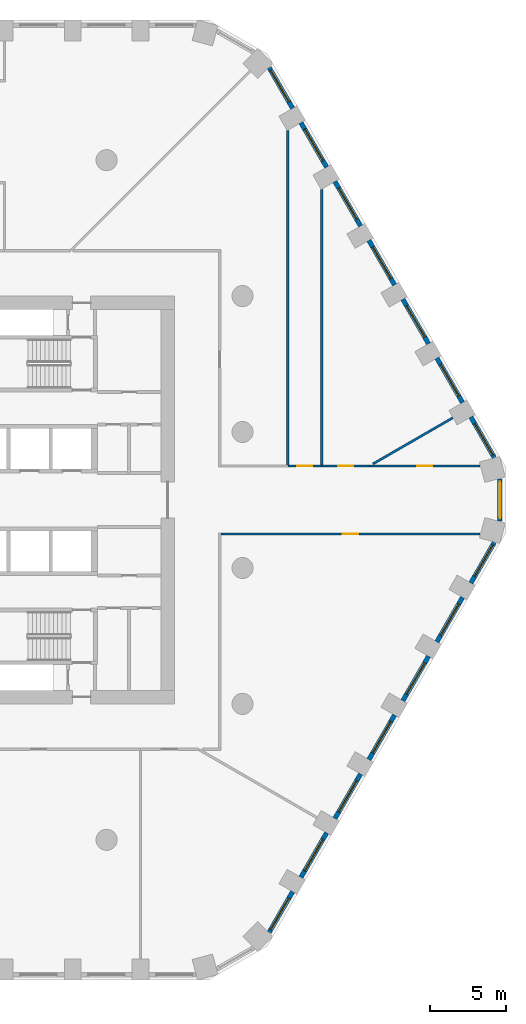
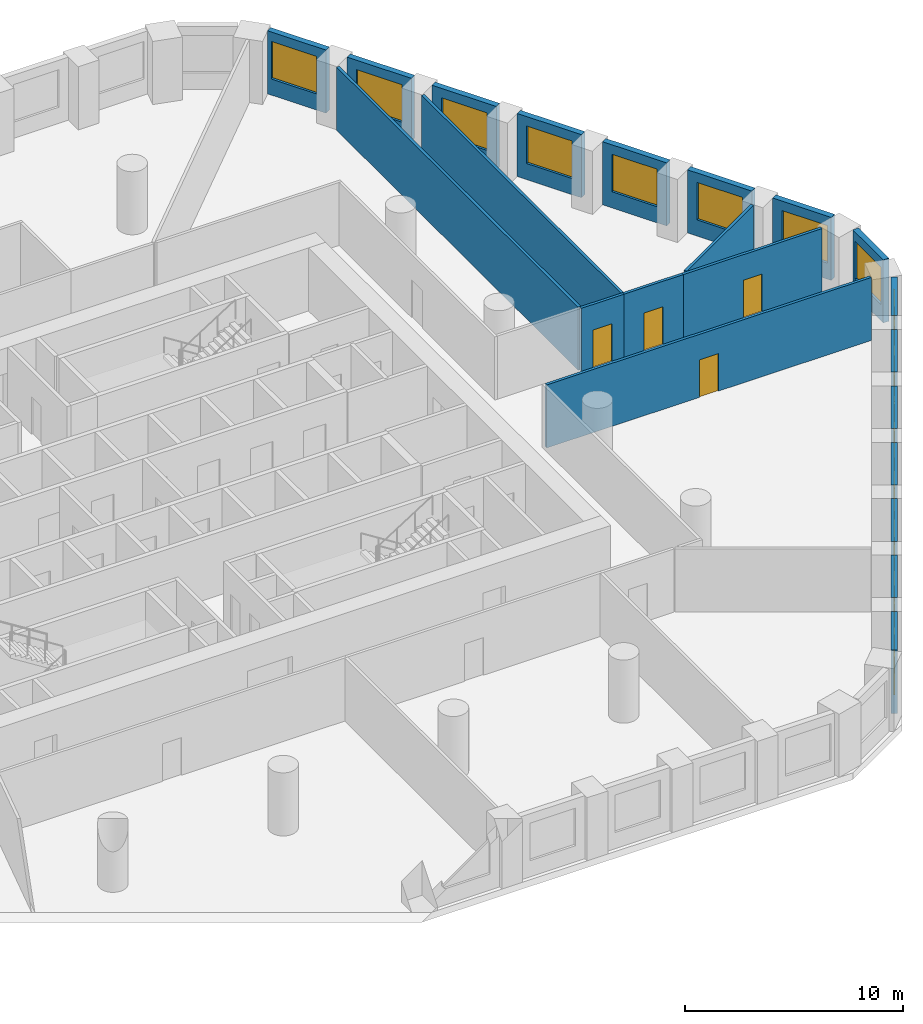
# One storey, part 8 of 10: 22 walls, 15 windows, 4 doors, 19 openings.
"""IFC4 building model written with IfcOpenShell, lengths in metres."""

from ifc_helpers import new_model, si_unit, direction, frame, frame_2d, origin, place, context, subcontext, project, spatial, rectangle, extrude, material, layer, layer_set, type_object, element, fill, save


model = new_model("IFC4")

# Units and contexts
model_context = context("Model", 3, precision=1e-05, world=origin(), true_north=direction((0.0, 1.0)))
body_context = subcontext(model_context, "Body", "Model", "MODEL_VIEW")
ifc_project = project(units=[si_unit("LENGTHUNIT", "METRE"), si_unit("AREAUNIT", "SQUARE_METRE"), si_unit("VOLUMEUNIT", "CUBIC_METRE"), si_unit("PLANEANGLEUNIT", "RADIAN"), si_unit("MASSUNIT", "GRAM", prefix="KILO")], contexts=[model_context])

# Site, building, storey
site_placement = place(None, origin())
site = spatial("IfcSite", under=ifc_project, at=site_placement, CompositionType="ELEMENT")
building_placement = place(site_placement, origin())
building = spatial("IfcBuilding", under=site, at=building_placement, Name="Dhurran Vertical Campus", CompositionType="ELEMENT")
storey_placement = place(building_placement, frame((0.0, 0.0, 57.300048828125)))
storey = spatial("IfcBuildingStorey", under=building, at=storey_placement, Name="L13", CompositionType="ELEMENT", Elevation=57.300048828125)

# Wall, opening, window
ifc_material_1 = material(Name="Precast concrete C50/60", Category="concrete")
ifc_layer_1 = layer(ifc_material_1, 0.300048828125)
ifc_layer_set_1 = layer_set([ifc_layer_1], Name="Precast concrete C50/60")
wall_type_1 = type_object("IfcWallType", Name="Precast spandrel wall 300", PredefinedType="SOLIDWALL", material=ifc_layer_set_1)
wall_1_placement = place(storey_placement, frame((24.2734375, -28.611083984375, 0.0), z_axis=(0.0, 0.0, 1.0), x_axis=(0.499995950774, 0.866027741594, 0.0)))
wall_1 = element("IfcWall", 1, at=wall_1_placement, inside=storey, type_object=wall_type_1, Name="EW1 L13.10", PredefinedType="SOLIDWALL", context=body_context, shape_type="SweptSolid", body=[
    extrude(rectangle(XDim=3.0908203125, YDim=0.300048828125, at=frame_2d((1.54541015625, 0.0))), origin(), (0.0, 0.0, 1.0), 3.52490234375),
])
opening_1_placement = place(wall_1_placement, frame((0.191162109375, 0.0, 0.89990234375)))
opening_1 = element("IfcOpeningElement", 2, at=opening_1_placement, cuts=wall_1, Name="Opening WT1", PredefinedType="OPENING", context=body_context, shape_type="SweptSolid", body=[
    extrude(rectangle(XDim=2.39990234375, YDim=2.10009765625, at=frame_2d((1.199951171875, 1.050048828125))), frame((0.0, 0.159912109375, 0.0), z_axis=(0.0, -1.0, 0.0), x_axis=(1.0, 0.0, 0.0)), (0.0, 0.0, 1.0), 0.320068359375),
])
ifc_material_2 = material(Name="Aluminium frame with solar-control glass", Category="aluminium")
window_type = type_object("IfcWindowType", Name="Punched window 2400 x 2100", PartitioningType="SINGLE_PANEL", PredefinedType="WINDOW", material=ifc_material_2)
window_1_placement = place(opening_1_placement, origin())
window_1 = element("IfcWindow", 3, at=window_1_placement, inside=storey, type_object=window_type, Name="WT1 L13.10", OverallHeight=2.10009765625, OverallWidth=2.39990234375, PartitioningType="SINGLE_PANEL", PredefinedType="WINDOW", context=body_context, shape_type="SweptSolid", body=[
    extrude(rectangle(XDim=2.39990234375, YDim=2.10009765625, at=frame_2d((1.199951171875, 1.050048828125))), frame((0.0, 0.030029296875, 0.0), z_axis=(0.0, -1.0, 0.0), x_axis=(1.0, 0.0, 0.0)), (0.0, 0.0, 1.0), 0.06005859375),
])
fill(opening_1, window_1)

wall_2_placement = place(storey_placement, frame((26.369384765625, -24.98095703125, 0.0), z_axis=(0.0, 0.0, 1.0), x_axis=(0.499993955907, 0.866028893315, 0.0)))
wall_2 = element("IfcWall", 4, at=wall_2_placement, inside=storey, type_object=wall_type_1, Name="EW1 L13.11", PredefinedType="SOLIDWALL", context=body_context, shape_type="SweptSolid", body=[
    extrude(rectangle(XDim=3.39892578125, YDim=0.300048828125, at=frame_2d((1.699462890625, 0.0))), origin(), (0.0, 0.0, 1.0), 3.52490234375),
])
opening_2_placement = place(wall_2_placement, frame((0.49951171875, 0.0, 0.89990234375)))
opening_2 = element("IfcOpeningElement", 5, at=opening_2_placement, cuts=wall_2, Name="Opening WT1", PredefinedType="OPENING", context=body_context, shape_type="SweptSolid", body=[
    extrude(rectangle(XDim=2.39990234375, YDim=2.10009765625, at=frame_2d((1.199951171875, 1.050048828125))), frame((0.0, 0.159912109375, 0.0), z_axis=(0.0, -1.0, 0.0), x_axis=(1.0, 0.0, 0.0)), (0.0, 0.0, 1.0), 0.320068359375),
])
window_2_placement = place(opening_2_placement, origin())
window_2 = element("IfcWindow", 6, at=window_2_placement, inside=storey, type_object=window_type, Name="WT1 L13.11", OverallHeight=2.10009765625, OverallWidth=2.39990234375, PartitioningType="SINGLE_PANEL", PredefinedType="WINDOW", context=body_context, shape_type="SweptSolid", body=[
    extrude(rectangle(XDim=2.39990234375, YDim=2.10009765625, at=frame_2d((1.199951171875, 1.050048828125))), frame((0.0, 0.030029296875, 0.0), z_axis=(0.0, -1.0, 0.0), x_axis=(1.0, 0.0, 0.0)), (0.0, 0.0, 1.0), 0.06005859375),
])
fill(opening_2, window_2)

wall_3_placement = place(storey_placement, frame((28.619384765625, -21.083740234375, 0.0), z_axis=(0.0, 0.0, 1.0), x_axis=(0.499993955907, 0.866028893315, 0.0)))
wall_3 = element("IfcWall", 7, at=wall_3_placement, inside=storey, type_object=wall_type_1, Name="EW1 L13.12", PredefinedType="SOLIDWALL", context=body_context, shape_type="SweptSolid", body=[
    extrude(rectangle(XDim=3.39892578125, YDim=0.300048828125, at=frame_2d((1.699462890625, 0.0))), origin(), (0.0, 0.0, 1.0), 3.52490234375),
])
opening_3_placement = place(wall_3_placement, frame((0.49951171875, 0.0, 0.89990234375)))
opening_3 = element("IfcOpeningElement", 8, at=opening_3_placement, cuts=wall_3, Name="Opening WT1", PredefinedType="OPENING", context=body_context, shape_type="SweptSolid", body=[
    extrude(rectangle(XDim=2.39990234375, YDim=2.10009765625, at=frame_2d((1.199951171875, 1.050048828125))), frame((0.0, 0.159912109375, 0.0), z_axis=(0.0, -1.0, 0.0), x_axis=(1.0, 0.0, 0.0)), (0.0, 0.0, 1.0), 0.320068359375),
])
window_3_placement = place(opening_3_placement, origin())
window_3 = element("IfcWindow", 9, at=window_3_placement, inside=storey, type_object=window_type, Name="WT1 L13.12", OverallHeight=2.10009765625, OverallWidth=2.39990234375, PartitioningType="SINGLE_PANEL", PredefinedType="WINDOW", context=body_context, shape_type="SweptSolid", body=[
    extrude(rectangle(XDim=2.39990234375, YDim=2.10009765625, at=frame_2d((1.199951171875, 1.050048828125))), frame((0.0, 0.030029296875, 0.0), z_axis=(0.0, -1.0, 0.0), x_axis=(1.0, 0.0, 0.0)), (0.0, 0.0, 1.0), 0.06005859375),
])
fill(opening_3, window_3)

wall_4_placement = place(storey_placement, frame((30.869384765625, -17.186767578125, 0.0), z_axis=(0.0, 0.0, 1.0), x_axis=(0.499993955907, 0.866028893315, 0.0)))
wall_4 = element("IfcWall", 10, at=wall_4_placement, inside=storey, type_object=wall_type_1, Name="EW1 L13.13", PredefinedType="SOLIDWALL", context=body_context, shape_type="SweptSolid", body=[
    extrude(rectangle(XDim=3.39892578125, YDim=0.300048828125, at=frame_2d((1.699462890625, 0.0))), origin(), (0.0, 0.0, 1.0), 3.52490234375),
])
opening_4_placement = place(wall_4_placement, frame((0.49951171875, 0.0, 0.89990234375)))
opening_4 = element("IfcOpeningElement", 11, at=opening_4_placement, cuts=wall_4, Name="Opening WT1", PredefinedType="OPENING", context=body_context, shape_type="SweptSolid", body=[
    extrude(rectangle(XDim=2.39990234375, YDim=2.10009765625, at=frame_2d((1.199951171875, 1.050048828125))), frame((0.0, 0.159912109375, 0.0), z_axis=(0.0, -1.0, 0.0), x_axis=(1.0, 0.0, 0.0)), (0.0, 0.0, 1.0), 0.320068359375),
])
window_4_placement = place(opening_4_placement, origin())
window_4 = element("IfcWindow", 12, at=window_4_placement, inside=storey, type_object=window_type, Name="WT1 L13.13", OverallHeight=2.10009765625, OverallWidth=2.39990234375, PartitioningType="SINGLE_PANEL", PredefinedType="WINDOW", context=body_context, shape_type="SweptSolid", body=[
    extrude(rectangle(XDim=2.39990234375, YDim=2.10009765625, at=frame_2d((1.199951171875, 1.050048828125))), frame((0.0, 0.030029296875, 0.0), z_axis=(0.0, -1.0, 0.0), x_axis=(1.0, 0.0, 0.0)), (0.0, 0.0, 1.0), 0.06005859375),
])
fill(opening_4, window_4)

wall_5_placement = place(storey_placement, frame((33.119384765625, -13.28955078125, 0.0), z_axis=(0.0, 0.0, 1.0), x_axis=(0.499993955907, 0.866028893315, 0.0)))
wall_5 = element("IfcWall", 13, at=wall_5_placement, inside=storey, type_object=wall_type_1, Name="EW1 L13.14", PredefinedType="SOLIDWALL", context=body_context, shape_type="SweptSolid", body=[
    extrude(rectangle(XDim=3.39892578125, YDim=0.300048828125, at=frame_2d((1.699462890625, 0.0))), origin(), (0.0, 0.0, 1.0), 3.52490234375),
])
opening_5_placement = place(wall_5_placement, frame((0.49951171875, 0.0, 0.89990234375)))
opening_5 = element("IfcOpeningElement", 14, at=opening_5_placement, cuts=wall_5, Name="Opening WT1", PredefinedType="OPENING", context=body_context, shape_type="SweptSolid", body=[
    extrude(rectangle(XDim=2.39990234375, YDim=2.10009765625, at=frame_2d((1.199951171875, 1.050048828125))), frame((0.0, 0.159912109375, 0.0), z_axis=(0.0, -1.0, 0.0), x_axis=(1.0, 0.0, 0.0)), (0.0, 0.0, 1.0), 0.320068359375),
])
window_5_placement = place(opening_5_placement, origin())
window_5 = element("IfcWindow", 15, at=window_5_placement, inside=storey, type_object=window_type, Name="WT1 L13.14", OverallHeight=2.10009765625, OverallWidth=2.39990234375, PartitioningType="SINGLE_PANEL", PredefinedType="WINDOW", context=body_context, shape_type="SweptSolid", body=[
    extrude(rectangle(XDim=2.39990234375, YDim=2.10009765625, at=frame_2d((1.199951171875, 1.050048828125))), frame((0.0, 0.030029296875, 0.0), z_axis=(0.0, -1.0, 0.0), x_axis=(1.0, 0.0, 0.0)), (0.0, 0.0, 1.0), 0.06005859375),
])
fill(opening_5, window_5)

wall_6_placement = place(storey_placement, frame((35.369384765625, -9.392578125, 0.0), z_axis=(0.0, 0.0, 1.0), x_axis=(0.499993955907, 0.866028893315, 0.0)))
wall_6 = element("IfcWall", 16, at=wall_6_placement, inside=storey, type_object=wall_type_1, Name="EW1 L13.15", PredefinedType="SOLIDWALL", context=body_context, shape_type="SweptSolid", body=[
    extrude(rectangle(XDim=3.39892578125, YDim=0.300048828125, at=frame_2d((1.699462890625, 0.0))), origin(), (0.0, 0.0, 1.0), 3.52490234375),
])
opening_6_placement = place(wall_6_placement, frame((0.49951171875, 0.0, 0.89990234375)))
opening_6 = element("IfcOpeningElement", 17, at=opening_6_placement, cuts=wall_6, Name="Opening WT1", PredefinedType="OPENING", context=body_context, shape_type="SweptSolid", body=[
    extrude(rectangle(XDim=2.39990234375, YDim=2.10009765625, at=frame_2d((1.199951171875, 1.050048828125))), frame((0.0, 0.159912109375, 0.0), z_axis=(0.0, -1.0, 0.0), x_axis=(1.0, 0.0, 0.0)), (0.0, 0.0, 1.0), 0.320068359375),
])
window_6_placement = place(opening_6_placement, origin())
window_6 = element("IfcWindow", 18, at=window_6_placement, inside=storey, type_object=window_type, Name="WT1 L13.15", OverallHeight=2.10009765625, OverallWidth=2.39990234375, PartitioningType="SINGLE_PANEL", PredefinedType="WINDOW", context=body_context, shape_type="SweptSolid", body=[
    extrude(rectangle(XDim=2.39990234375, YDim=2.10009765625, at=frame_2d((1.199951171875, 1.050048828125))), frame((0.0, 0.030029296875, 0.0), z_axis=(0.0, -1.0, 0.0), x_axis=(1.0, 0.0, 0.0)), (0.0, 0.0, 1.0), 0.06005859375),
])
fill(opening_6, window_6)

wall_7_placement = place(storey_placement, frame((37.619384765625, -5.495361328125, 0.0), z_axis=(0.0, 0.0, 1.0), x_axis=(0.49997090907, 0.866042198789, 0.0)))
wall_7 = element("IfcWall", 19, at=wall_7_placement, inside=storey, type_object=wall_type_1, Name="EW1 L13.16", PredefinedType="SOLIDWALL", context=body_context, shape_type="SweptSolid", body=[
    extrude(rectangle(XDim=3.090576171875, YDim=0.300048828125, at=frame_2d((1.54541015625, 0.0))), origin(), (0.0, 0.0, 1.0), 3.52490234375),
])
opening_7_placement = place(wall_7_placement, frame((0.49951171875, 0.0, 0.89990234375)))
opening_7 = element("IfcOpeningElement", 20, at=opening_7_placement, cuts=wall_7, Name="Opening WT1", PredefinedType="OPENING", context=body_context, shape_type="SweptSolid", body=[
    extrude(rectangle(XDim=2.39990234375, YDim=2.10009765625, at=frame_2d((1.199951171875, 1.050048828125))), frame((0.0, 0.159912109375, 0.0), z_axis=(0.0, -1.0, 0.0), x_axis=(1.0, 0.0, 0.0)), (0.0, 0.0, 1.0), 0.320068359375),
])
window_7_placement = place(opening_7_placement, origin())
window_7 = element("IfcWindow", 21, at=window_7_placement, inside=storey, type_object=window_type, Name="WT1 L13.16", OverallHeight=2.10009765625, OverallWidth=2.39990234375, PartitioningType="SINGLE_PANEL", PredefinedType="WINDOW", context=body_context, shape_type="SweptSolid", body=[
    extrude(rectangle(XDim=2.39990234375, YDim=2.10009765625, at=frame_2d((1.199951171875, 1.050048828125))), frame((0.0, 0.030029296875, 0.0), z_axis=(0.0, -1.0, 0.0), x_axis=(1.0, 0.0, 0.0)), (0.0, 0.0, 1.0), 0.06005859375),
])
fill(opening_7, window_7)

wall_8_placement = place(storey_placement, frame((39.547119140625, -1.39111328125, 0.0), z_axis=(0.0, 0.0, 1.0), x_axis=(0.0, 1.0, 0.0)))
wall_8 = element("IfcWall", 22, at=wall_8_placement, inside=storey, type_object=wall_type_1, Name="EW1 L13.17", PredefinedType="SOLIDWALL", context=body_context, shape_type="SweptSolid", body=[
    extrude(rectangle(XDim=2.7822265625, YDim=0.300048828125, at=frame_2d((1.39111328125, 0.0))), origin(), (0.0, 0.0, 1.0), 3.52490234375),
])
opening_8_placement = place(wall_8_placement, frame((0.191162109375, 0.0, 0.89990234375)))
opening_8 = element("IfcOpeningElement", 23, at=opening_8_placement, cuts=wall_8, Name="Opening WT1", PredefinedType="OPENING", context=body_context, shape_type="SweptSolid", body=[
    extrude(rectangle(XDim=2.39990234375, YDim=2.10009765625, at=frame_2d((1.199951171875, 1.050048828125))), frame((0.0, 0.159912109375, 0.0), z_axis=(0.0, -1.0, 0.0), x_axis=(1.0, 0.0, 0.0)), (0.0, 0.0, 1.0), 0.320068359375),
])
window_8_placement = place(opening_8_placement, origin())
window_8 = element("IfcWindow", 24, at=window_8_placement, inside=storey, type_object=window_type, Name="WT1 L13.17", OverallHeight=2.10009765625, OverallWidth=2.39990234375, PartitioningType="SINGLE_PANEL", PredefinedType="WINDOW", context=body_context, shape_type="SweptSolid", body=[
    extrude(rectangle(XDim=2.39990234375, YDim=2.10009765625, at=frame_2d((1.199951171875, 1.050048828125))), frame((0.0, 0.030029296875, 0.0), z_axis=(0.0, -1.0, 0.0), x_axis=(1.0, 0.0, 0.0)), (0.0, 0.0, 1.0), 0.06005859375),
])
fill(opening_8, window_8)

wall_9_placement = place(storey_placement, frame((39.16455078125, 2.81884765625, 0.0), z_axis=(0.0, 0.0, 1.0), x_axis=(-0.49997090907, 0.866042198789, 0.0)))
wall_9 = element("IfcWall", 25, at=wall_9_placement, inside=storey, type_object=wall_type_1, Name="EW1 L13.18", PredefinedType="SOLIDWALL", context=body_context, shape_type="SweptSolid", body=[
    extrude(rectangle(XDim=3.090576171875, YDim=0.300048828125, at=frame_2d((1.54541015625, 0.0))), origin(), (0.0, 0.0, 1.0), 3.52490234375),
])
opening_9_placement = place(wall_9_placement, frame((0.19091796875, 0.0, 0.89990234375)))
opening_9 = element("IfcOpeningElement", 26, at=opening_9_placement, cuts=wall_9, Name="Opening WT1", PredefinedType="OPENING", context=body_context, shape_type="SweptSolid", body=[
    extrude(rectangle(XDim=2.39990234375, YDim=2.10009765625, at=frame_2d((1.199951171875, 1.050048828125))), frame((0.0, 0.159912109375, 0.0), z_axis=(0.0, -1.0, 0.0), x_axis=(1.0, 0.0, 0.0)), (0.0, 0.0, 1.0), 0.320068359375),
])
window_9_placement = place(opening_9_placement, origin())
window_9 = element("IfcWindow", 27, at=window_9_placement, inside=storey, type_object=window_type, Name="WT1 L13.18", OverallHeight=2.10009765625, OverallWidth=2.39990234375, PartitioningType="SINGLE_PANEL", PredefinedType="WINDOW", context=body_context, shape_type="SweptSolid", body=[
    extrude(rectangle(XDim=2.39990234375, YDim=2.10009765625, at=frame_2d((1.199951171875, 1.050048828125))), frame((0.0, 0.030029296875, 0.0), z_axis=(0.0, -1.0, 0.0), x_axis=(1.0, 0.0, 0.0)), (0.0, 0.0, 1.0), 0.06005859375),
])
fill(opening_9, window_9)

wall_10_placement = place(storey_placement, frame((37.06884765625, 6.448974609375, 0.0), z_axis=(0.0, 0.0, 1.0), x_axis=(-0.499993955907, 0.866028893315, 0.0)))
wall_10 = element("IfcWall", 28, at=wall_10_placement, inside=storey, type_object=wall_type_1, Name="EW1 L13.19", PredefinedType="SOLIDWALL", context=body_context, shape_type="SweptSolid", body=[
    extrude(rectangle(XDim=3.39892578125, YDim=0.300048828125, at=frame_2d((1.699462890625, 0.0))), origin(), (0.0, 0.0, 1.0), 3.52490234375),
])
opening_10_placement = place(wall_10_placement, frame((0.49951171875, 0.0, 0.89990234375)))
opening_10 = element("IfcOpeningElement", 29, at=opening_10_placement, cuts=wall_10, Name="Opening WT1", PredefinedType="OPENING", context=body_context, shape_type="SweptSolid", body=[
    extrude(rectangle(XDim=2.39990234375, YDim=2.10009765625, at=frame_2d((1.199951171875, 1.050048828125))), frame((0.0, 0.159912109375, 0.0), z_axis=(0.0, -1.0, 0.0), x_axis=(1.0, 0.0, 0.0)), (0.0, 0.0, 1.0), 0.320068359375),
])
window_10_placement = place(opening_10_placement, origin())
window_10 = element("IfcWindow", 30, at=window_10_placement, inside=storey, type_object=window_type, Name="WT1 L13.19", OverallHeight=2.10009765625, OverallWidth=2.39990234375, PartitioningType="SINGLE_PANEL", PredefinedType="WINDOW", context=body_context, shape_type="SweptSolid", body=[
    extrude(rectangle(XDim=2.39990234375, YDim=2.10009765625, at=frame_2d((1.199951171875, 1.050048828125))), frame((0.0, 0.030029296875, 0.0), z_axis=(0.0, -1.0, 0.0), x_axis=(1.0, 0.0, 0.0)), (0.0, 0.0, 1.0), 0.06005859375),
])
fill(opening_10, window_10)

wall_11_placement = place(storey_placement, frame((34.81884765625, 10.345947265625, 0.0), z_axis=(0.0, 0.0, 1.0), x_axis=(-0.499993955907, 0.866028893315, 0.0)))
wall_11 = element("IfcWall", 31, at=wall_11_placement, inside=storey, type_object=wall_type_1, Name="EW1 L13.20", PredefinedType="SOLIDWALL", context=body_context, shape_type="SweptSolid", body=[
    extrude(rectangle(XDim=3.39892578125, YDim=0.300048828125, at=frame_2d((1.699462890625, 0.0))), origin(), (0.0, 0.0, 1.0), 3.52490234375),
])
opening_11_placement = place(wall_11_placement, frame((0.49951171875, 0.0, 0.89990234375)))
opening_11 = element("IfcOpeningElement", 32, at=opening_11_placement, cuts=wall_11, Name="Opening WT1", PredefinedType="OPENING", context=body_context, shape_type="SweptSolid", body=[
    extrude(rectangle(XDim=2.39990234375, YDim=2.10009765625, at=frame_2d((1.199951171875, 1.050048828125))), frame((0.0, 0.159912109375, 0.0), z_axis=(0.0, -1.0, 0.0), x_axis=(1.0, 0.0, 0.0)), (0.0, 0.0, 1.0), 0.320068359375),
])
window_11_placement = place(opening_11_placement, origin())
window_11 = element("IfcWindow", 33, at=window_11_placement, inside=storey, type_object=window_type, Name="WT1 L13.20", OverallHeight=2.10009765625, OverallWidth=2.39990234375, PartitioningType="SINGLE_PANEL", PredefinedType="WINDOW", context=body_context, shape_type="SweptSolid", body=[
    extrude(rectangle(XDim=2.39990234375, YDim=2.10009765625, at=frame_2d((1.199951171875, 1.050048828125))), frame((0.0, 0.030029296875, 0.0), z_axis=(0.0, -1.0, 0.0), x_axis=(1.0, 0.0, 0.0)), (0.0, 0.0, 1.0), 0.06005859375),
])
fill(opening_11, window_11)

wall_12_placement = place(storey_placement, frame((32.56884765625, 14.2431640625, 0.0), z_axis=(0.0, 0.0, 1.0), x_axis=(-0.499993955907, 0.866028893315, 0.0)))
wall_12 = element("IfcWall", 34, at=wall_12_placement, inside=storey, type_object=wall_type_1, Name="EW1 L13.21", PredefinedType="SOLIDWALL", context=body_context, shape_type="SweptSolid", body=[
    extrude(rectangle(XDim=3.39892578125, YDim=0.300048828125, at=frame_2d((1.699462890625, 0.0))), origin(), (0.0, 0.0, 1.0), 3.52490234375),
])
opening_12_placement = place(wall_12_placement, frame((0.49951171875, 0.0, 0.89990234375)))
opening_12 = element("IfcOpeningElement", 35, at=opening_12_placement, cuts=wall_12, Name="Opening WT1", PredefinedType="OPENING", context=body_context, shape_type="SweptSolid", body=[
    extrude(rectangle(XDim=2.39990234375, YDim=2.10009765625, at=frame_2d((1.199951171875, 1.050048828125))), frame((0.0, 0.159912109375, 0.0), z_axis=(0.0, -1.0, 0.0), x_axis=(1.0, 0.0, 0.0)), (0.0, 0.0, 1.0), 0.320068359375),
])
window_12_placement = place(opening_12_placement, origin())
window_12 = element("IfcWindow", 36, at=window_12_placement, inside=storey, type_object=window_type, Name="WT1 L13.21", OverallHeight=2.10009765625, OverallWidth=2.39990234375, PartitioningType="SINGLE_PANEL", PredefinedType="WINDOW", context=body_context, shape_type="SweptSolid", body=[
    extrude(rectangle(XDim=2.39990234375, YDim=2.10009765625, at=frame_2d((1.199951171875, 1.050048828125))), frame((0.0, 0.030029296875, 0.0), z_axis=(0.0, -1.0, 0.0), x_axis=(1.0, 0.0, 0.0)), (0.0, 0.0, 1.0), 0.06005859375),
])
fill(opening_12, window_12)

wall_13_placement = place(storey_placement, frame((30.31884765625, 18.14013671875, 0.0), z_axis=(0.0, 0.0, 1.0), x_axis=(-0.499993955907, 0.866028893315, 0.0)))
wall_13 = element("IfcWall", 37, at=wall_13_placement, inside=storey, type_object=wall_type_1, Name="EW1 L13.22", PredefinedType="SOLIDWALL", context=body_context, shape_type="SweptSolid", body=[
    extrude(rectangle(XDim=3.39892578125, YDim=0.300048828125, at=frame_2d((1.699462890625, 0.0))), origin(), (0.0, 0.0, 1.0), 3.52490234375),
])
opening_13_placement = place(wall_13_placement, frame((0.49951171875, 0.0, 0.89990234375)))
opening_13 = element("IfcOpeningElement", 38, at=opening_13_placement, cuts=wall_13, Name="Opening WT1", PredefinedType="OPENING", context=body_context, shape_type="SweptSolid", body=[
    extrude(rectangle(XDim=2.39990234375, YDim=2.10009765625, at=frame_2d((1.199951171875, 1.050048828125))), frame((0.0, 0.159912109375, 0.0), z_axis=(0.0, -1.0, 0.0), x_axis=(1.0, 0.0, 0.0)), (0.0, 0.0, 1.0), 0.320068359375),
])
window_13_placement = place(opening_13_placement, origin())
window_13 = element("IfcWindow", 39, at=window_13_placement, inside=storey, type_object=window_type, Name="WT1 L13.22", OverallHeight=2.10009765625, OverallWidth=2.39990234375, PartitioningType="SINGLE_PANEL", PredefinedType="WINDOW", context=body_context, shape_type="SweptSolid", body=[
    extrude(rectangle(XDim=2.39990234375, YDim=2.10009765625, at=frame_2d((1.199951171875, 1.050048828125))), frame((0.0, 0.030029296875, 0.0), z_axis=(0.0, -1.0, 0.0), x_axis=(1.0, 0.0, 0.0)), (0.0, 0.0, 1.0), 0.06005859375),
])
fill(opening_13, window_13)

wall_14_placement = place(storey_placement, frame((28.06884765625, 22.037353515625, 0.0), z_axis=(0.0, 0.0, 1.0), x_axis=(-0.499993955907, 0.866028893315, 0.0)))
wall_14 = element("IfcWall", 40, at=wall_14_placement, inside=storey, type_object=wall_type_1, Name="EW1 L13.23", PredefinedType="SOLIDWALL", context=body_context, shape_type="SweptSolid", body=[
    extrude(rectangle(XDim=3.39892578125, YDim=0.300048828125, at=frame_2d((1.699462890625, 0.0))), origin(), (0.0, 0.0, 1.0), 3.52490234375),
])
opening_14_placement = place(wall_14_placement, frame((0.49951171875, 0.0, 0.89990234375)))
opening_14 = element("IfcOpeningElement", 41, at=opening_14_placement, cuts=wall_14, Name="Opening WT1", PredefinedType="OPENING", context=body_context, shape_type="SweptSolid", body=[
    extrude(rectangle(XDim=2.39990234375, YDim=2.10009765625, at=frame_2d((1.199951171875, 1.050048828125))), frame((0.0, 0.159912109375, 0.0), z_axis=(0.0, -1.0, 0.0), x_axis=(1.0, 0.0, 0.0)), (0.0, 0.0, 1.0), 0.320068359375),
])
window_14_placement = place(opening_14_placement, origin())
window_14 = element("IfcWindow", 42, at=window_14_placement, inside=storey, type_object=window_type, Name="WT1 L13.23", OverallHeight=2.10009765625, OverallWidth=2.39990234375, PartitioningType="SINGLE_PANEL", PredefinedType="WINDOW", context=body_context, shape_type="SweptSolid", body=[
    extrude(rectangle(XDim=2.39990234375, YDim=2.10009765625, at=frame_2d((1.199951171875, 1.050048828125))), frame((0.0, 0.030029296875, 0.0), z_axis=(0.0, -1.0, 0.0), x_axis=(1.0, 0.0, 0.0)), (0.0, 0.0, 1.0), 0.06005859375),
])
fill(opening_14, window_14)

wall_15_placement = place(storey_placement, frame((25.81884765625, 25.934326171875, 0.0), z_axis=(0.0, 0.0, 1.0), x_axis=(-0.499995950774, 0.866027741594, 0.0)))
wall_15 = element("IfcWall", 43, at=wall_15_placement, inside=storey, type_object=wall_type_1, Name="EW1 L13.24", PredefinedType="SOLIDWALL", context=body_context, shape_type="SweptSolid", body=[
    extrude(rectangle(XDim=3.0908203125, YDim=0.300048828125, at=frame_2d((1.54541015625, 0.0))), origin(), (0.0, 0.0, 1.0), 3.52490234375),
])
opening_15_placement = place(wall_15_placement, frame((0.49951171875, 0.0, 0.89990234375)))
opening_15 = element("IfcOpeningElement", 44, at=opening_15_placement, cuts=wall_15, Name="Opening WT1", PredefinedType="OPENING", context=body_context, shape_type="SweptSolid", body=[
    extrude(rectangle(XDim=2.39990234375, YDim=2.10009765625, at=frame_2d((1.199951171875, 1.050048828125))), frame((0.0, 0.159912109375, 0.0), z_axis=(0.0, -1.0, 0.0), x_axis=(1.0, 0.0, 0.0)), (0.0, 0.0, 1.0), 0.320068359375),
])
window_15_placement = place(opening_15_placement, origin())
window_15 = element("IfcWindow", 45, at=window_15_placement, inside=storey, type_object=window_type, Name="WT1 L13.24", OverallHeight=2.10009765625, OverallWidth=2.39990234375, PartitioningType="SINGLE_PANEL", PredefinedType="WINDOW", context=body_context, shape_type="SweptSolid", body=[
    extrude(rectangle(XDim=2.39990234375, YDim=2.10009765625, at=frame_2d((1.199951171875, 1.050048828125))), frame((0.0, 0.030029296875, 0.0), z_axis=(0.0, -1.0, 0.0), x_axis=(1.0, 0.0, 0.0)), (0.0, 0.0, 1.0), 0.06005859375),
])
fill(opening_15, window_15)

# Wall, opening, door
ifc_material_3 = material(Name="Gypsum board corridor wall on steel studs", Category="steel")
ifc_layer_2 = layer(ifc_material_3, 0.14990234375)
ifc_layer_set_2 = layer_set([ifc_layer_2], Name="Gypsum board corridor wall on steel studs")
wall_type_2 = type_object("IfcWallType", Name="fl-CW-150 corridor wall", PredefinedType="PARTITIONING", material=ifc_layer_set_2)
wall_16_placement = place(storey_placement, frame((38.23291015625, -2.25, 0.0), z_axis=(0.0, 0.0, 1.0), x_axis=(-1.0, 0.0, 0.0)))
wall_16 = element("IfcWall", 46, at=wall_16_placement, inside=storey, type_object=wall_type_2, Name="Partition 13-42", PredefinedType="PARTITIONING", context=body_context, shape_type="SweptSolid", body=[
    extrude(rectangle(XDim=17.157958984375, YDim=0.14990234375, at=frame_2d((8.5791015625, 0.0))), origin(), (0.0, 0.0, 1.0), 3.52490234375),
])
opening_16_placement = place(wall_16_placement, frame((8.0791015625, 0.0, 0.0)))
opening_16 = element("IfcOpeningElement", 47, at=opening_16_placement, cuts=wall_16, Name="Opening T03.16", PredefinedType="OPENING", context=body_context, shape_type="SweptSolid", body=[
    extrude(rectangle(XDim=1.0, YDim=2.10009765625, at=frame_2d((0.5, 1.050048828125))), frame((0.0, 0.0849609375, 0.0), z_axis=(0.0, -1.0, 0.0), x_axis=(1.0, 0.0, 0.0)), (0.0, 0.0, 1.0), 0.169921875),
])
ifc_material_4 = material(Name="Solid-core timber door set, fire-rated", Category="wood")
door_type = type_object("IfcDoorType", Name="fl-D-1000x2100", OperationType="SINGLE_SWING_LEFT", PredefinedType="DOOR", material=ifc_material_4)
door_1_placement = place(opening_16_placement, origin())
door_1 = element("IfcDoor", 48, at=door_1_placement, inside=storey, type_object=door_type, Name="Door 13.16", OperationType="SINGLE_SWING_LEFT", OverallHeight=2.10009765625, OverallWidth=1.0, PredefinedType="DOOR", context=body_context, shape_type="SweptSolid", body=[
    extrude(rectangle(XDim=1.0, YDim=2.10009765625, at=frame_2d((0.5, 1.050048828125))), frame((0.0, 0.02490234375, 0.0), z_axis=(0.0, -1.0, 0.0), x_axis=(1.0, 0.0, 0.0)), (0.0, 0.0, 1.0), 0.050048828125),
])
fill(opening_16, door_1)

wall_17_placement = place(storey_placement, frame((25.5, 2.25, 0.0), z_axis=(0.0, 0.0, 1.0), x_axis=(1.0, 0.0, 0.0)))
wall_17 = element("IfcWall", 49, at=wall_17_placement, inside=storey, type_object=wall_type_2, Name="Partition 13-46", PredefinedType="PARTITIONING", context=body_context, shape_type="SweptSolid", body=[
    extrude(rectangle(XDim=2.25, YDim=0.14990234375, at=frame_2d((1.125, 0.0))), origin(), (0.0, 0.0, 1.0), 3.52490234375),
])
opening_17_placement = place(wall_17_placement, frame((0.625, 0.0, 0.0)))
opening_17 = element("IfcOpeningElement", 50, at=opening_17_placement, cuts=wall_17, Name="Opening T03.15", PredefinedType="OPENING", context=body_context, shape_type="SweptSolid", body=[
    extrude(rectangle(XDim=1.0, YDim=2.10009765625, at=frame_2d((0.5, 1.050048828125))), frame((0.0, 0.0849609375, 0.0), z_axis=(0.0, -1.0, 0.0), x_axis=(1.0, 0.0, 0.0)), (0.0, 0.0, 1.0), 0.169921875),
])
door_2_placement = place(opening_17_placement, origin())
door_2 = element("IfcDoor", 51, at=door_2_placement, inside=storey, type_object=door_type, Name="Door 13.15", OperationType="SINGLE_SWING_RIGHT", OverallHeight=2.10009765625, OverallWidth=1.0, PredefinedType="DOOR", context=body_context, shape_type="SweptSolid", body=[
    extrude(rectangle(XDim=1.0, YDim=2.10009765625, at=frame_2d((0.5, 1.050048828125))), frame((0.0, 0.02490234375, 0.0), z_axis=(0.0, -1.0, 0.0), x_axis=(1.0, 0.0, 0.0)), (0.0, 0.0, 1.0), 0.050048828125),
])
fill(opening_17, door_2)

wall_18_placement = place(storey_placement, frame((27.75, 2.25, 0.0), z_axis=(0.0, 0.0, 1.0), x_axis=(1.0, 0.0, 0.0)))
wall_18 = element("IfcWall", 52, at=wall_18_placement, inside=storey, type_object=wall_type_2, Name="Partition 13-48", PredefinedType="PARTITIONING", context=body_context, shape_type="SweptSolid", body=[
    extrude(rectangle(XDim=3.14697265625, YDim=0.14990234375, at=frame_2d((1.573486328125, 0.0))), origin(), (0.0, 0.0, 1.0), 3.52490234375),
])
opening_18_placement = place(wall_18_placement, frame((1.073486328125, 0.0, 0.0)))
opening_18 = element("IfcOpeningElement", 53, at=opening_18_placement, cuts=wall_18, Name="Opening T03.17", PredefinedType="OPENING", context=body_context, shape_type="SweptSolid", body=[
    extrude(rectangle(XDim=1.0, YDim=2.10009765625, at=frame_2d((0.5, 1.050048828125))), frame((0.0, 0.0849609375, 0.0), z_axis=(0.0, -1.0, 0.0), x_axis=(1.0, 0.0, 0.0)), (0.0, 0.0, 1.0), 0.169921875),
])
door_3_placement = place(opening_18_placement, origin())
door_3 = element("IfcDoor", 54, at=door_3_placement, inside=storey, type_object=door_type, Name="Door 13.17", OperationType="SINGLE_SWING_RIGHT", OverallHeight=2.10009765625, OverallWidth=1.0, PredefinedType="DOOR", context=body_context, shape_type="SweptSolid", body=[
    extrude(rectangle(XDim=1.0, YDim=2.10009765625, at=frame_2d((0.5, 1.050048828125))), frame((0.0, 0.02490234375, 0.0), z_axis=(0.0, -1.0, 0.0), x_axis=(1.0, 0.0, 0.0)), (0.0, 0.0, 1.0), 0.050048828125),
])
fill(opening_18, door_3)

wall_19_placement = place(storey_placement, frame((30.89697265625, 2.25, 0.0), z_axis=(0.0, 0.0, 1.0), x_axis=(1.0, 0.0, 0.0)))
wall_19 = element("IfcWall", 55, at=wall_19_placement, inside=storey, type_object=wall_type_2, Name="Partition 13-50", PredefinedType="PARTITIONING", context=body_context, shape_type="SweptSolid", body=[
    extrude(rectangle(XDim=7.3359375, YDim=0.14990234375, at=frame_2d((3.66796875, 0.0))), origin(), (0.0, 0.0, 1.0), 3.52490234375),
])
opening_19_placement = place(wall_19_placement, frame((3.16796875, 0.0, 0.0)))
opening_19 = element("IfcOpeningElement", 56, at=opening_19_placement, cuts=wall_19, Name="Opening T03.18", PredefinedType="OPENING", context=body_context, shape_type="SweptSolid", body=[
    extrude(rectangle(XDim=1.0, YDim=2.10009765625, at=frame_2d((0.5, 1.050048828125))), frame((0.0, 0.0849609375, 0.0), z_axis=(0.0, -1.0, 0.0), x_axis=(1.0, 0.0, 0.0)), (0.0, 0.0, 1.0), 0.169921875),
])
door_4_placement = place(opening_19_placement, origin())
door_4 = element("IfcDoor", 57, at=door_4_placement, inside=storey, type_object=door_type, Name="Door 13.18", OperationType="SINGLE_SWING_RIGHT", OverallHeight=2.10009765625, OverallWidth=1.0, PredefinedType="DOOR", context=body_context, shape_type="SweptSolid", body=[
    extrude(rectangle(XDim=1.0, YDim=2.10009765625, at=frame_2d((0.5, 1.050048828125))), frame((0.0, 0.02490234375, 0.0), z_axis=(0.0, -1.0, 0.0), x_axis=(1.0, 0.0, 0.0)), (0.0, 0.0, 1.0), 0.050048828125),
])
fill(opening_19, door_4)

# Walls
ifc_material_5 = material(Name="Gypsum board partition on steel studs", Category="steel")
ifc_layer_3 = layer(ifc_material_5, 0.14990234375)
ifc_layer_set_3 = layer_set([ifc_layer_3], Name="Gypsum board partition on steel studs")
wall_type_3 = type_object("IfcWallType", Name="fl-PW-150 fixed partition", PredefinedType="PARTITIONING", material=ifc_layer_set_3)
wall_20_placement = place(storey_placement, frame((25.5, 24.45654296875, 0.0), z_axis=(0.0, 0.0, 1.0), x_axis=(0.0, -1.0, 0.0)))
element("IfcWall", 58, at=wall_20_placement, inside=storey, type_object=wall_type_3, Name="Partition 13-45", PredefinedType="PARTITIONING", context=body_context, shape_type="SweptSolid", body=[
    extrude(rectangle(XDim=22.131591796875, YDim=0.14990234375, at=frame_2d((11.06591796875, 0.0))), origin(), (0.0, 0.0, 1.0), 3.52490234375),
])
wall_21_placement = place(storey_placement, frame((27.75, 20.5595703125, 0.0), z_axis=(0.0, 0.0, 1.0), x_axis=(0.0, -1.0, 0.0)))
element("IfcWall", 59, at=wall_21_placement, inside=storey, type_object=wall_type_3, Name="Partition 13-47", PredefinedType="PARTITIONING", context=body_context, shape_type="SweptSolid", body=[
    extrude(rectangle(XDim=18.234619140625, YDim=0.14990234375, at=frame_2d((9.1171875, 0.0))), origin(), (0.0, 0.0, 1.0), 3.52490234375),
])
wall_22_placement = place(storey_placement, frame((36.417236328125, 5.437255859375, 0.0), z_axis=(0.0, 0.0, 1.0), x_axis=(-0.866007603866, -0.500030829096, 0.0)))
element("IfcWall", 60, at=wall_22_placement, inside=storey, type_object=wall_type_3, Name="Partition 13-49", PredefinedType="PARTITIONING", context=body_context, shape_type="SweptSolid", body=[
    extrude(rectangle(XDim=6.09912109375, YDim=0.14990234375, at=frame_2d((3.049560546875, 0.0))), origin(), (0.0, 0.0, 1.0), 3.52490234375),
])

save(model, "model.ifc")
